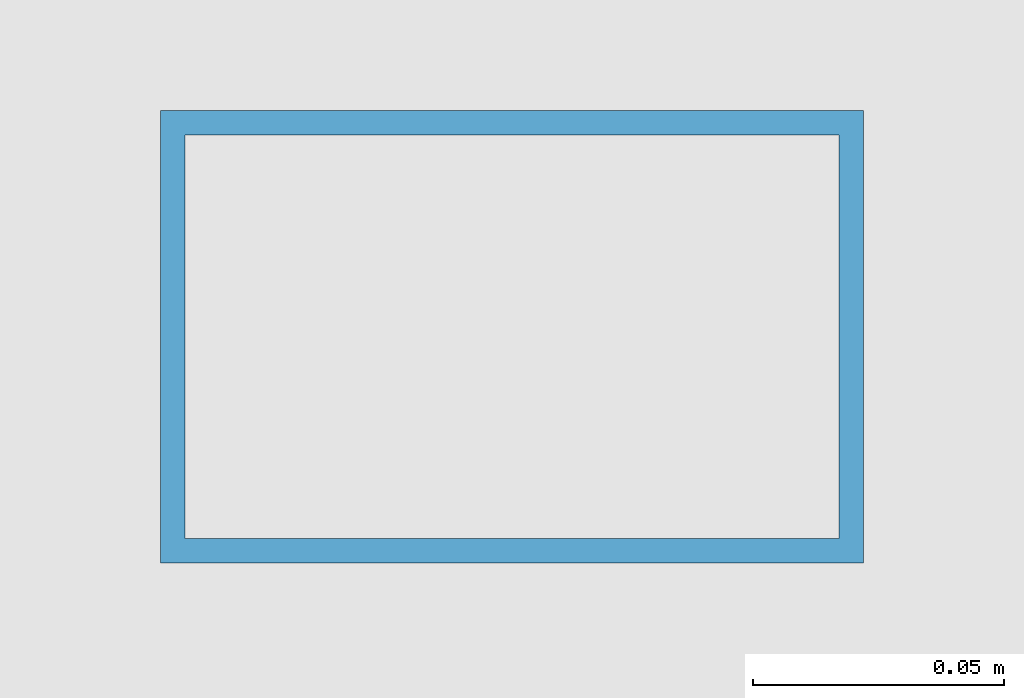
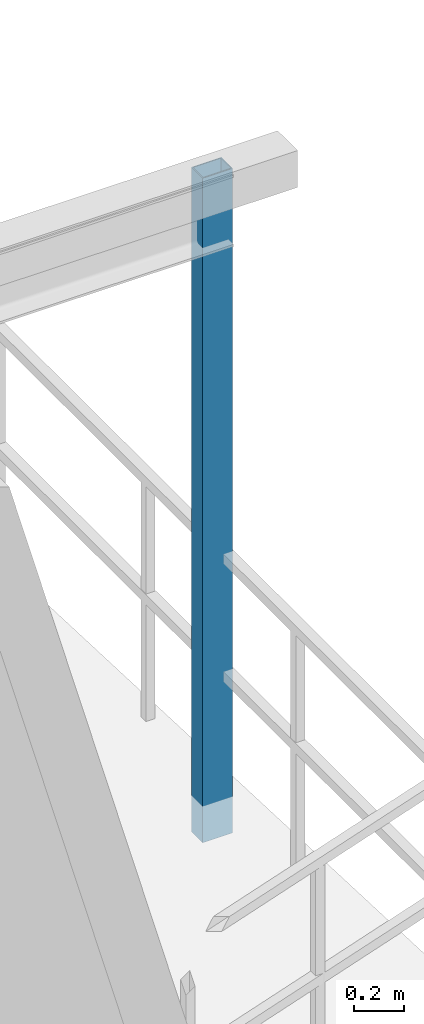
# One storey, part 10 of 28: 1 member.
"""IFC4 building model written with IfcOpenShell, lengths in metres."""

from ifc_helpers import new_model, si_unit, direction, frame, origin, origin_2d, place, context, subcontext, project, spatial, hollow_rectangle, extrude, source, transform, mapped, material, material_profile, profile_set, type_object, element, save


model = new_model("IFC4")

# Units and contexts
model_context = context("Model", 3, precision=1e-05, world=origin(), true_north=direction((0.0, 1.0)))
body_context = subcontext(model_context, "Body", "Model", "MODEL_VIEW")
ifc_project = project(units=[si_unit("LENGTHUNIT", "METRE"), si_unit("AREAUNIT", "SQUARE_METRE"), si_unit("VOLUMEUNIT", "CUBIC_METRE"), si_unit("PLANEANGLEUNIT", "RADIAN"), si_unit("MASSUNIT", "GRAM", prefix="KILO"), si_unit("THERMODYNAMICTEMPERATUREUNIT", "KELVIN"), si_unit("POWERUNIT", "WATT")], contexts=[model_context])

# Site, building, storey
site_placement = place(None, origin())
site = spatial("IfcSite", under=ifc_project, at=site_placement, CompositionType="ELEMENT")
building_placement = place(site_placement, origin())
building = spatial("IfcBuilding", under=site, at=building_placement, Name="Qiaomeng Ring Towers", CompositionType="ELEMENT")
storey_placement = place(building_placement, frame((0.0, 0.0, 113.25)))
storey = spatial("IfcBuildingStorey", under=building, at=storey_placement, Name="L32", CompositionType="ELEMENT", Elevation=113.25)

# Member
ifc_material = material(Name="Stainless steel 316", Category="steel")
ifc_material_profile = material_profile(ifc_material, hollow_rectangle(XDim=0.090087890625, YDim=0.139892578125, WallThickness=0.0048828125, at=origin_2d()), Name="SS TRELLIS 90x140")
ifc_profile_set = profile_set([ifc_material_profile], Name="Stainless steel 316")
member_type = type_object("IfcMemberType", Name="ARC-TR-POST1", PredefinedType="STUD", material=ifc_profile_set)
shared_shape = source(origin(), body_context, "Body", "SweptSolid", [
    extrude(hollow_rectangle(XDim=0.090087890625, YDim=0.139892578125, WallThickness=0.0048828125, at=origin_2d()), origin(), (0.0, 0.0, 1.0), 3.25),
])
member_placement = place(storey_placement, frame((38.389892578125, 20.0, -0.179931640625), z_axis=(0.0, 0.0, 1.0), x_axis=(0.0, 1.0, 0.0)))
element("IfcMember", 1, at=member_placement, inside=storey, type_object=member_type, Name="L32 Outer Ventilated Trellis Post E", PredefinedType="STUD", context=body_context, shape_type="MappedRepresentation", body=[
    mapped(shared_shape, transform((0.0, 0.0, 0.0), x_axis=(1.0, 0.0, 0.0), y_axis=(0.0, 1.0, 0.0), z_axis=(0.0, 0.0, 1.0), scale=1.0)),
])

save(model, "model.ifc")
